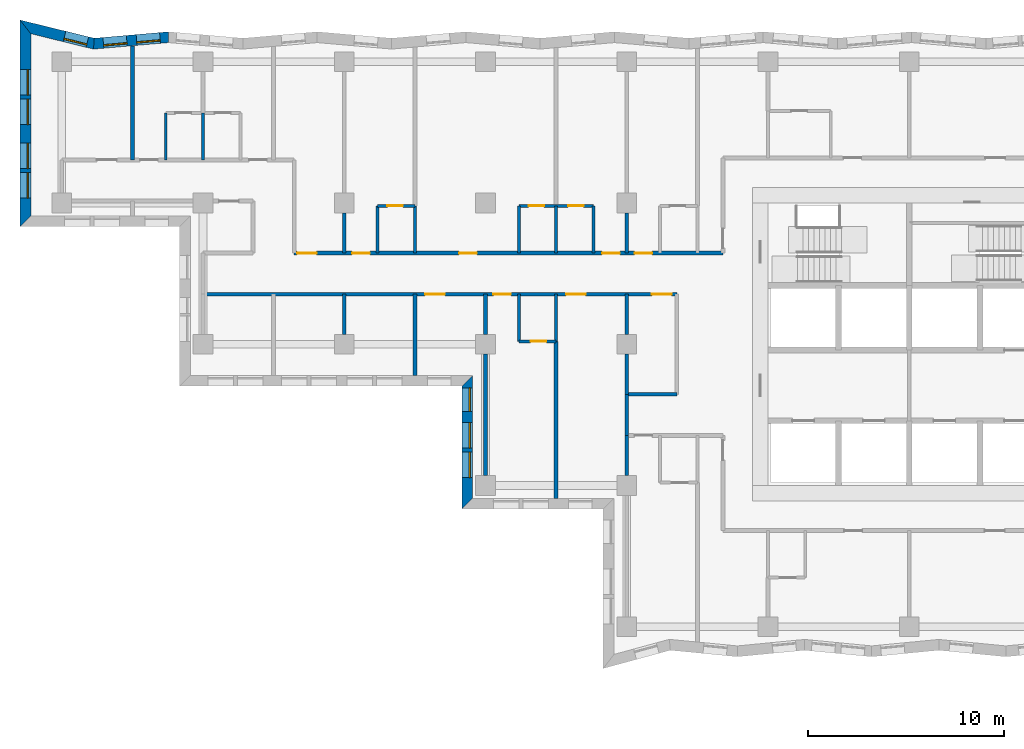
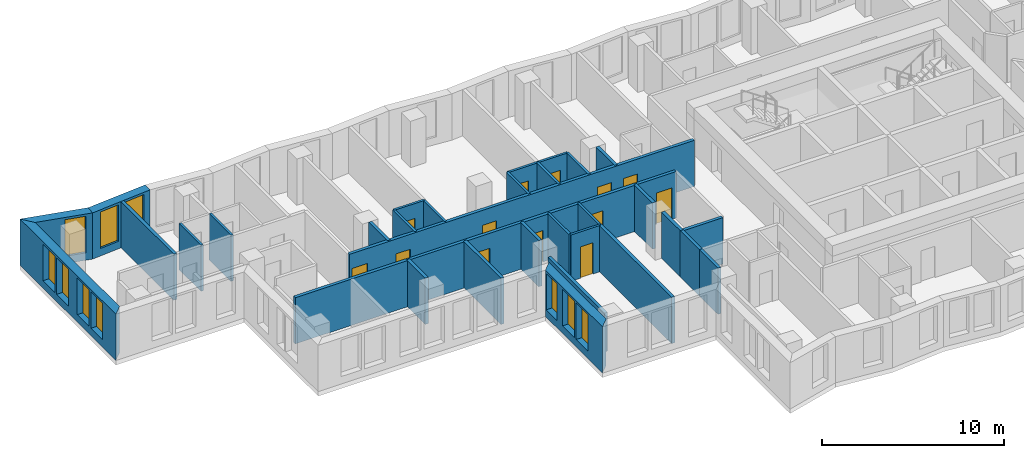
# One storey, part 4 of 12: 31 walls, 13 doors, 10 windows, 23 openings.
"""IFC4 building model written with IfcOpenShell, lengths in metres."""

from ifc_helpers import new_model, si_unit, direction, frame, frame_2d, origin, place, context, subcontext, project, spatial, polyline, rectangle, outline, extrude, material, layer, layer_set, type_object, element, fill, save


model = new_model("IFC4")

# Units and contexts
model_context = context("Model", 3, precision=1e-05, world=origin(), true_north=direction((0.0, 1.0)))
body_context = subcontext(model_context, "Body", "Model", "MODEL_VIEW")
ifc_project = project(units=[si_unit("LENGTHUNIT", "METRE"), si_unit("AREAUNIT", "SQUARE_METRE"), si_unit("VOLUMEUNIT", "CUBIC_METRE"), si_unit("PLANEANGLEUNIT", "RADIAN"), si_unit("MASSUNIT", "GRAM", prefix="KILO")], contexts=[model_context])

# Site, building, storey
site_placement = place(None, origin())
site = spatial("IfcSite", under=ifc_project, at=site_placement, CompositionType="ELEMENT")
building_placement = place(site_placement, origin())
building = spatial("IfcBuilding", under=site, at=building_placement, Name="Windrow Commons", CompositionType="ELEMENT")
storey_placement = place(building_placement, frame((0.0, 0.0, 84.6)))
storey = spatial("IfcBuildingStorey", under=building, at=storey_placement, Name="L22", CompositionType="ELEMENT", Elevation=84.6)

# Wall, openings, windows
ifc_material_1 = material(Name="Brick masonry, red clay brick", Category="masonry")
ifc_layer_1 = layer(ifc_material_1, 0.55)
ifc_layer_set_1 = layer_set([ifc_layer_1], Name="Brick facade wall 550")
wall_type_1 = type_object("IfcWallType", Name="Brick facade wall 550", PredefinedType="SOLIDWALL", material=ifc_layer_set_1)
wall_1_placement = place(storey_placement, frame((27.0465, 73.254, 0.0), z_axis=(0.0, 0.0, 1.0), x_axis=(-0.9962263466, -0.0867932393, 0.0)))
wall_1 = element("IfcWall", 1, at=wall_1_placement, inside=storey, type_object=wall_type_1, Name="Brick facade wall L22 35", PredefinedType="SOLIDWALL", context=body_context, shape_type="SweptSolid", body=[
    extrude(outline(polyline([(-0.024, -0.275), (3.7787, -0.275), (3.8696, 0.275), (0.024, 0.275), (-0.024, -0.275)])), origin(), (0.0, 0.0, 1.0), 3.1),
])
opening_1_placement = place(wall_1_placement, frame((0.4387, 0.0, 0.5)))
opening_1 = element("IfcOpeningElement", 2, at=opening_1_placement, cuts=wall_1, Name="Opening W7D", PredefinedType="OPENING", context=body_context, shape_type="SweptSolid", body=[
    extrude(rectangle(XDim=1.2, YDim=2.45, at=frame_2d((0.6, 1.225))), frame((0.0, 0.285, 0.0), z_axis=(0.0, -1.0, 0.0), x_axis=(1.0, 0.0, 0.0)), (0.0, 0.0, 1.0), 0.57),
])
opening_2_placement = place(wall_1_placement, frame((2.1388, 0.0, 0.5)))
opening_2 = element("IfcOpeningElement", 3, at=opening_2_placement, cuts=wall_1, Name="Opening W7D", PredefinedType="OPENING", context=body_context, shape_type="SweptSolid", body=[
    extrude(rectangle(XDim=1.2, YDim=2.45, at=frame_2d((0.6, 1.225))), frame((0.0, 0.285, 0.0), z_axis=(0.0, -1.0, 0.0), x_axis=(1.0, 0.0, 0.0)), (0.0, 0.0, 1.0), 0.57),
])
ifc_material_2 = material(Name="Clear float glass in anodised aluminium frame", Category="aluminium")
window_type_1 = type_object("IfcWindowType", Name="Window W7 notch 1200x2450", PartitioningType="SINGLE_PANEL", PredefinedType="WINDOW", material=ifc_material_2)
window_1_placement = place(opening_1_placement, origin())
window_1 = element("IfcWindow", 4, at=window_1_placement, inside=storey, type_object=window_type_1, Name="Window L22 35.1", OverallHeight=2.45, OverallWidth=1.2, PartitioningType="SINGLE_PANEL", PredefinedType="WINDOW", context=body_context, shape_type="SweptSolid", body=[
    extrude(rectangle(XDim=1.2, YDim=2.45, at=frame_2d((0.6, 1.225))), frame((0.0, 0.155, 0.0), z_axis=(0.0, -1.0, 0.0), x_axis=(1.0, 0.0, 0.0)), (0.0, 0.0, 1.0), 0.06),
])
fill(opening_1, window_1)
window_2_placement = place(opening_2_placement, origin())
window_2 = element("IfcWindow", 5, at=window_2_placement, inside=storey, type_object=window_type_1, Name="Window L22 35.2", OverallHeight=2.45, OverallWidth=1.2, PartitioningType="SINGLE_PANEL", PredefinedType="WINDOW", context=body_context, shape_type="SweptSolid", body=[
    extrude(rectangle(XDim=1.2, YDim=2.45, at=frame_2d((0.6, 1.225))), frame((0.0, 0.155, 0.0), z_axis=(0.0, -1.0, 0.0), x_axis=(1.0, 0.0, 0.0)), (0.0, 0.0, 1.0), 0.06),
])
fill(opening_2, window_2)

# Wall, opening, window
wall_2_placement = place(storey_placement, frame((23.2369, 72.9221, 0.0), z_axis=(0.0, 0.0, 1.0), x_axis=(-0.9711660271, 0.2384041692, 0.0)))
wall_2 = element("IfcWall", 6, at=wall_2_placement, inside=storey, type_object=wall_type_1, Name="Brick facade wall L22 36", PredefinedType="SOLIDWALL", context=body_context, shape_type="SweptSolid", body=[
    extrude(outline(polyline([(0.0455, -0.275), (3.9462, -0.275), (3.2449, 0.275), (-0.0455, 0.275), (0.0455, -0.275)])), origin(), (0.0, 0.0, 1.0), 3.1),
])
opening_3_placement = place(wall_2_placement, frame((0.3427, 0.0, 0.5)))
opening_3 = element("IfcOpeningElement", 7, at=opening_3_placement, cuts=wall_2, Name="Opening W7D", PredefinedType="OPENING", context=body_context, shape_type="SweptSolid", body=[
    extrude(rectangle(XDim=1.2, YDim=2.45, at=frame_2d((0.6, 1.225))), frame((0.0, 0.285, 0.0), z_axis=(0.0, -1.0, 0.0), x_axis=(1.0, 0.0, 0.0)), (0.0, 0.0, 1.0), 0.57),
])
window_3_placement = place(opening_3_placement, origin())
window_3 = element("IfcWindow", 8, at=window_3_placement, inside=storey, type_object=window_type_1, Name="Window L22 36.1", OverallHeight=2.45, OverallWidth=1.2, PartitioningType="SINGLE_PANEL", PredefinedType="WINDOW", context=body_context, shape_type="SweptSolid", body=[
    extrude(rectangle(XDim=1.2, YDim=2.45, at=frame_2d((0.6, 1.225))), frame((0.0, 0.155, 0.0), z_axis=(0.0, -1.0, 0.0), x_axis=(1.0, 0.0, 0.0)), (0.0, 0.0, 1.0), 0.06),
])
fill(opening_3, window_3)

# Wall, openings, windows
wall_3_placement = place(storey_placement, frame((19.745, 73.7793, 0.0), z_axis=(0.0, 0.0, 1.0), x_axis=(0.0, -1.0, 0.0)))
wall_3 = element("IfcWall", 9, at=wall_3_placement, inside=storey, type_object=wall_type_1, Name="Brick facade wall L22 37", PredefinedType="SOLIDWALL", context=body_context, shape_type="SweptSolid", body=[
    extrude(outline(polyline([(-0.3507, -0.275), (10.1793, -0.275), (9.6293, 0.275), (0.3507, 0.275), (-0.3507, -0.275)])), origin(), (0.0, 0.0, 1.0), 3.1),
])
opening_4_placement = place(wall_3_placement, frame((2.1793, 0.0, 0.5)))
opening_4 = element("IfcOpeningElement", 10, at=opening_4_placement, cuts=wall_3, Name="Opening W1P", PredefinedType="OPENING", context=body_context, shape_type="SweptSolid", body=[
    extrude(rectangle(XDim=1.3, YDim=2.45, at=frame_2d((0.65, 1.225))), frame((0.0, 0.285, 0.0), z_axis=(0.0, -1.0, 0.0), x_axis=(1.0, 0.0, 0.0)), (0.0, 0.0, 1.0), 0.57),
])
opening_5_placement = place(wall_3_placement, frame((3.6793, 0.0, 0.5)))
opening_5 = element("IfcOpeningElement", 11, at=opening_5_placement, cuts=wall_3, Name="Opening W1P", PredefinedType="OPENING", context=body_context, shape_type="SweptSolid", body=[
    extrude(rectangle(XDim=1.3, YDim=2.45, at=frame_2d((0.65, 1.225))), frame((0.0, 0.285, 0.0), z_axis=(0.0, -1.0, 0.0), x_axis=(1.0, 0.0, 0.0)), (0.0, 0.0, 1.0), 0.57),
])
opening_6_placement = place(wall_3_placement, frame((5.9293, 0.0, 0.5)))
opening_6 = element("IfcOpeningElement", 12, at=opening_6_placement, cuts=wall_3, Name="Opening W1P", PredefinedType="OPENING", context=body_context, shape_type="SweptSolid", body=[
    extrude(rectangle(XDim=1.3, YDim=2.45, at=frame_2d((0.65, 1.225))), frame((0.0, 0.285, 0.0), z_axis=(0.0, -1.0, 0.0), x_axis=(1.0, 0.0, 0.0)), (0.0, 0.0, 1.0), 0.57),
])
opening_7_placement = place(wall_3_placement, frame((7.4293, 0.0, 0.5)))
opening_7 = element("IfcOpeningElement", 13, at=opening_7_placement, cuts=wall_3, Name="Opening W1P", PredefinedType="OPENING", context=body_context, shape_type="SweptSolid", body=[
    extrude(rectangle(XDim=1.3, YDim=2.45, at=frame_2d((0.65, 1.225))), frame((0.0, 0.285, 0.0), z_axis=(0.0, -1.0, 0.0), x_axis=(1.0, 0.0, 0.0)), (0.0, 0.0, 1.0), 0.57),
])
ifc_material_3 = material(Name="Clear float glass in anodised aluminium frame", Category="aluminium")
window_type_2 = type_object("IfcWindowType", Name="Window W1P pair 1300x2450", PartitioningType="SINGLE_PANEL", PredefinedType="WINDOW", material=ifc_material_3)
window_4_placement = place(opening_4_placement, origin())
window_4 = element("IfcWindow", 14, at=window_4_placement, inside=storey, type_object=window_type_2, Name="Window L22 37.1A", OverallHeight=2.45, OverallWidth=1.3, PartitioningType="SINGLE_PANEL", PredefinedType="WINDOW", context=body_context, shape_type="SweptSolid", body=[
    extrude(rectangle(XDim=1.3, YDim=2.45, at=frame_2d((0.65, 1.225))), frame((0.0, 0.155, 0.0), z_axis=(0.0, -1.0, 0.0), x_axis=(1.0, 0.0, 0.0)), (0.0, 0.0, 1.0), 0.06),
])
fill(opening_4, window_4)
window_5_placement = place(opening_5_placement, origin())
window_5 = element("IfcWindow", 15, at=window_5_placement, inside=storey, type_object=window_type_2, Name="Window L22 37.1B", OverallHeight=2.45, OverallWidth=1.3, PartitioningType="SINGLE_PANEL", PredefinedType="WINDOW", context=body_context, shape_type="SweptSolid", body=[
    extrude(rectangle(XDim=1.3, YDim=2.45, at=frame_2d((0.65, 1.225))), frame((0.0, 0.155, 0.0), z_axis=(0.0, -1.0, 0.0), x_axis=(1.0, 0.0, 0.0)), (0.0, 0.0, 1.0), 0.06),
])
fill(opening_5, window_5)
window_6_placement = place(opening_6_placement, origin())
window_6 = element("IfcWindow", 16, at=window_6_placement, inside=storey, type_object=window_type_2, Name="Window L22 37.2A", OverallHeight=2.45, OverallWidth=1.3, PartitioningType="SINGLE_PANEL", PredefinedType="WINDOW", context=body_context, shape_type="SweptSolid", body=[
    extrude(rectangle(XDim=1.3, YDim=2.45, at=frame_2d((0.65, 1.225))), frame((0.0, 0.155, 0.0), z_axis=(0.0, -1.0, 0.0), x_axis=(1.0, 0.0, 0.0)), (0.0, 0.0, 1.0), 0.06),
])
fill(opening_6, window_6)
window_7_placement = place(opening_7_placement, origin())
window_7 = element("IfcWindow", 17, at=window_7_placement, inside=storey, type_object=window_type_2, Name="Window L22 37.2B", OverallHeight=2.45, OverallWidth=1.3, PartitioningType="SINGLE_PANEL", PredefinedType="WINDOW", context=body_context, shape_type="SweptSolid", body=[
    extrude(rectangle(XDim=1.3, YDim=2.45, at=frame_2d((0.65, 1.225))), frame((0.0, 0.155, 0.0), z_axis=(0.0, -1.0, 0.0), x_axis=(1.0, 0.0, 0.0)), (0.0, 0.0, 1.0), 0.06),
])
fill(opening_7, window_7)

wall_4_placement = place(storey_placement, frame((42.275, 55.745, 0.0), z_axis=(0.0, 0.0, 1.0), x_axis=(0.0, -1.0, 0.0)))
wall_4 = element("IfcWall", 18, at=wall_4_placement, inside=storey, type_object=wall_type_1, Name="Brick facade wall L22 41", PredefinedType="SOLIDWALL", context=body_context, shape_type="SweptSolid", body=[
    extrude(outline(polyline([(0.275, -0.275), (6.545, -0.275), (5.995, 0.275), (-0.275, 0.275), (0.275, -0.275)])), origin(), (0.0, 0.0, 1.0), 3.1),
])
opening_8_placement = place(wall_4_placement, frame((2.145, 0.0, 0.5)))
opening_8 = element("IfcOpeningElement", 19, at=opening_8_placement, cuts=wall_4, Name="Opening W1P", PredefinedType="OPENING", context=body_context, shape_type="SweptSolid", body=[
    extrude(rectangle(XDim=1.3, YDim=2.45, at=frame_2d((0.65, 1.225))), frame((0.0, 0.285, 0.0), z_axis=(0.0, -1.0, 0.0), x_axis=(1.0, 0.0, 0.0)), (0.0, 0.0, 1.0), 0.57),
])
opening_9_placement = place(wall_4_placement, frame((3.645, 0.0, 0.5)))
opening_9 = element("IfcOpeningElement", 20, at=opening_9_placement, cuts=wall_4, Name="Opening W1P", PredefinedType="OPENING", context=body_context, shape_type="SweptSolid", body=[
    extrude(rectangle(XDim=1.3, YDim=2.45, at=frame_2d((0.65, 1.225))), frame((0.0, 0.285, 0.0), z_axis=(0.0, -1.0, 0.0), x_axis=(1.0, 0.0, 0.0)), (0.0, 0.0, 1.0), 0.57),
])
opening_10_placement = place(wall_4_placement, frame((0.3725, 0.0, 0.5)))
opening_10 = element("IfcOpeningElement", 21, at=opening_10_placement, cuts=wall_4, Name="Opening W7D", PredefinedType="OPENING", context=body_context, shape_type="SweptSolid", body=[
    extrude(rectangle(XDim=1.2, YDim=2.45, at=frame_2d((0.6, 1.225))), frame((0.0, 0.285, 0.0), z_axis=(0.0, -1.0, 0.0), x_axis=(1.0, 0.0, 0.0)), (0.0, 0.0, 1.0), 0.57),
])
window_8_placement = place(opening_8_placement, origin())
window_8 = element("IfcWindow", 22, at=window_8_placement, inside=storey, type_object=window_type_2, Name="Window L22 41.1A", OverallHeight=2.45, OverallWidth=1.3, PartitioningType="SINGLE_PANEL", PredefinedType="WINDOW", context=body_context, shape_type="SweptSolid", body=[
    extrude(rectangle(XDim=1.3, YDim=2.45, at=frame_2d((0.65, 1.225))), frame((0.0, 0.155, 0.0), z_axis=(0.0, -1.0, 0.0), x_axis=(1.0, 0.0, 0.0)), (0.0, 0.0, 1.0), 0.06),
])
fill(opening_8, window_8)
window_9_placement = place(opening_9_placement, origin())
window_9 = element("IfcWindow", 23, at=window_9_placement, inside=storey, type_object=window_type_2, Name="Window L22 41.1B", OverallHeight=2.45, OverallWidth=1.3, PartitioningType="SINGLE_PANEL", PredefinedType="WINDOW", context=body_context, shape_type="SweptSolid", body=[
    extrude(rectangle(XDim=1.3, YDim=2.45, at=frame_2d((0.65, 1.225))), frame((0.0, 0.155, 0.0), z_axis=(0.0, -1.0, 0.0), x_axis=(1.0, 0.0, 0.0)), (0.0, 0.0, 1.0), 0.06),
])
fill(opening_9, window_9)
window_10_placement = place(opening_10_placement, origin())
window_10 = element("IfcWindow", 24, at=window_10_placement, inside=storey, type_object=window_type_1, Name="Window L22 41.2", OverallHeight=2.45, OverallWidth=1.2, PartitioningType="SINGLE_PANEL", PredefinedType="WINDOW", context=body_context, shape_type="SweptSolid", body=[
    extrude(rectangle(XDim=1.2, YDim=2.45, at=frame_2d((0.6, 1.225))), frame((0.0, 0.155, 0.0), z_axis=(0.0, -1.0, 0.0), x_axis=(1.0, 0.0, 0.0)), (0.0, 0.0, 1.0), 0.06),
])
fill(opening_10, window_10)

# Wall, openings, doors
ifc_material_4 = material(Name="Blockwork partition", Category="masonry")
ifc_layer_2 = layer(ifc_material_4, 0.2)
ifc_layer_set_2 = layer_set([ifc_layer_2], Name="IW-CORRIDOR-200")
wall_type_2 = type_object("IfcWallType", Name="IW-CORRIDOR-200", PredefinedType="PARTITIONING", material=ifc_layer_set_2)
wall_5_placement = place(storey_placement, frame((28.8, 60.15, 0.0), z_axis=(0.0, 0.0, 1.0), x_axis=(1.0, 0.0, 0.0)))
wall_5 = element("IfcWall", 25, at=wall_5_placement, inside=storey, type_object=wall_type_2, Name="W-L22-W000", PredefinedType="PARTITIONING", context=body_context, shape_type="SweptSolid", body=[
    extrude(rectangle(XDim=24.15, YDim=0.2, at=frame_2d((12.075, 0.0))), origin(), (0.0, 0.0, 1.0), 3.1),
])
opening_11_placement = place(wall_5_placement, frame((11.325, 0.0, 0.0)))
opening_11 = element("IfcOpeningElement", 26, at=opening_11_placement, cuts=wall_5, Name="Opening D310F", PredefinedType="OPENING", context=body_context, shape_type="SweptSolid", body=[
    extrude(rectangle(XDim=1.0, YDim=2.1, at=frame_2d((0.5, 1.05))), frame((0.0, 0.11, 0.0), z_axis=(0.0, -1.0, 0.0), x_axis=(1.0, 0.0, 0.0)), (0.0, 0.0, 1.0), 0.22),
])
opening_12_placement = place(wall_5_placement, frame((14.8, 0.0, 0.0)))
opening_12 = element("IfcOpeningElement", 27, at=opening_12_placement, cuts=wall_5, Name="Opening D109S", PredefinedType="OPENING", context=body_context, shape_type="SweptSolid", body=[
    extrude(rectangle(XDim=0.9, YDim=2.1, at=frame_2d((0.45, 1.05))), frame((0.0, 0.11, 0.0), z_axis=(0.0, -1.0, 0.0), x_axis=(1.0, 0.0, 0.0)), (0.0, 0.0, 1.0), 0.22),
])
opening_13_placement = place(wall_5_placement, frame((18.5075, 0.0, 0.0)))
opening_13 = element("IfcOpeningElement", 28, at=opening_13_placement, cuts=wall_5, Name="Opening D310F", PredefinedType="OPENING", context=body_context, shape_type="SweptSolid", body=[
    extrude(rectangle(XDim=1.0, YDim=2.1, at=frame_2d((0.5, 1.05))), frame((0.0, 0.11, 0.0), z_axis=(0.0, -1.0, 0.0), x_axis=(1.0, 0.0, 0.0)), (0.0, 0.0, 1.0), 0.22),
])
opening_14_placement = place(wall_5_placement, frame((22.8824, 0.0, 0.0)))
opening_14 = element("IfcOpeningElement", 29, at=opening_14_placement, cuts=wall_5, Name="Opening D310F", PredefinedType="OPENING", context=body_context, shape_type="SweptSolid", body=[
    extrude(rectangle(XDim=1.0, YDim=2.1, at=frame_2d((0.5, 1.05))), frame((0.0, 0.11, 0.0), z_axis=(0.0, -1.0, 0.0), x_axis=(1.0, 0.0, 0.0)), (0.0, 0.0, 1.0), 0.22),
])
ifc_material_5 = material(Name="Timber door leaf", Category="wood")
door_type_1 = type_object("IfcDoorType", Name="DT-AMENITY-1000", OperationType="SINGLE_SWING_LEFT", PredefinedType="DOOR", material=ifc_material_5)
door_1_placement = place(opening_11_placement, origin())
door_1 = element("IfcDoor", 30, at=door_1_placement, inside=storey, type_object=door_type_1, Name="D-L22-D025", OperationType="SINGLE_SWING_RIGHT", OverallHeight=2.1, OverallWidth=1.0, PredefinedType="DOOR", context=body_context, shape_type="SweptSolid", body=[
    extrude(rectangle(XDim=1.0, YDim=2.1, at=frame_2d((0.5, 1.05))), frame((0.0, 0.025, 0.0), z_axis=(0.0, -1.0, 0.0), x_axis=(1.0, 0.0, 0.0)), (0.0, 0.0, 1.0), 0.05),
])
fill(opening_11, door_1)
door_2_placement = place(opening_13_placement, origin())
door_2 = element("IfcDoor", 31, at=door_2_placement, inside=storey, type_object=door_type_1, Name="D-L22-D028", OperationType="SINGLE_SWING_RIGHT", OverallHeight=2.1, OverallWidth=1.0, PredefinedType="DOOR", context=body_context, shape_type="SweptSolid", body=[
    extrude(rectangle(XDim=1.0, YDim=2.1, at=frame_2d((0.5, 1.05))), frame((0.0, 0.025, 0.0), z_axis=(0.0, -1.0, 0.0), x_axis=(1.0, 0.0, 0.0)), (0.0, 0.0, 1.0), 0.05),
])
fill(opening_13, door_2)
door_3_placement = place(opening_14_placement, origin())
door_3 = element("IfcDoor", 32, at=door_3_placement, inside=storey, type_object=door_type_1, Name="D-L22-D029", OperationType="SINGLE_SWING_LEFT", OverallHeight=2.1, OverallWidth=1.0, PredefinedType="DOOR", context=body_context, shape_type="SweptSolid", body=[
    extrude(rectangle(XDim=1.0, YDim=2.1, at=frame_2d((0.5, 1.05))), frame((0.0, 0.025, 0.0), z_axis=(0.0, -1.0, 0.0), x_axis=(1.0, 0.0, 0.0)), (0.0, 0.0, 1.0), 0.05),
])
fill(opening_14, door_3)
ifc_material_6 = material(Name="Timber door leaf", Category="wood")
door_type_2 = type_object("IfcDoorType", Name="DT-BEDROOM-900", OperationType="SINGLE_SWING_LEFT", PredefinedType="DOOR", material=ifc_material_6)
door_4_placement = place(opening_12_placement, origin())
door_4 = element("IfcDoor", 33, at=door_4_placement, inside=storey, type_object=door_type_2, Name="D-L22-D026", OperationType="SINGLE_SWING_LEFT", OverallHeight=2.1, OverallWidth=0.9, PredefinedType="DOOR", context=body_context, shape_type="SweptSolid", body=[
    extrude(rectangle(XDim=0.9, YDim=2.1, at=frame_2d((0.45, 1.05))), frame((0.0, 0.025, 0.0), z_axis=(0.0, -1.0, 0.0), x_axis=(1.0, 0.0, 0.0)), (0.0, 0.0, 1.0), 0.05),
])
fill(opening_12, door_4)

wall_6_placement = place(storey_placement, frame((33.45, 62.25, 0.0), z_axis=(0.0, 0.0, 1.0), x_axis=(1.0, 0.0, 0.0)))
wall_6 = element("IfcWall", 34, at=wall_6_placement, inside=storey, type_object=wall_type_2, Name="W-L22-W001", PredefinedType="PARTITIONING", context=body_context, shape_type="SweptSolid", body=[
    extrude(rectangle(XDim=21.85, YDim=0.2, at=frame_2d((10.925, 0.0))), origin(), (0.0, 0.0, 1.0), 3.1),
])
opening_15_placement = place(wall_6_placement, frame((0.1438, 0.0, 0.0)))
opening_15 = element("IfcOpeningElement", 35, at=opening_15_placement, cuts=wall_6, Name="Opening D310F", PredefinedType="OPENING", context=body_context, shape_type="SweptSolid", body=[
    extrude(rectangle(XDim=1.0, YDim=2.1, at=frame_2d((0.5, 1.05))), frame((0.0, 0.11, 0.0), z_axis=(0.0, -1.0, 0.0), x_axis=(1.0, 0.0, 0.0)), (0.0, 0.0, 1.0), 0.22),
])
opening_16_placement = place(wall_6_placement, frame((2.95, 0.0, 0.0)))
opening_16 = element("IfcOpeningElement", 36, at=opening_16_placement, cuts=wall_6, Name="Opening D109S", PredefinedType="OPENING", context=body_context, shape_type="SweptSolid", body=[
    extrude(rectangle(XDim=0.9, YDim=2.1, at=frame_2d((0.45, 1.05))), frame((0.0, 0.11, 0.0), z_axis=(0.0, -1.0, 0.0), x_axis=(1.0, 0.0, 0.0)), (0.0, 0.0, 1.0), 0.22),
])
opening_17_placement = place(wall_6_placement, frame((8.4066, 0.0, 0.0)))
opening_17 = element("IfcOpeningElement", 37, at=opening_17_placement, cuts=wall_6, Name="Opening D109F", PredefinedType="OPENING", context=body_context, shape_type="SweptSolid", body=[
    extrude(rectangle(XDim=0.9, YDim=2.1, at=frame_2d((0.45, 1.05))), frame((0.0, 0.11, 0.0), z_axis=(0.0, -1.0, 0.0), x_axis=(1.0, 0.0, 0.0)), (0.0, 0.0, 1.0), 0.22),
])
opening_18_placement = place(wall_6_placement, frame((15.7, 0.0, 0.0)))
opening_18 = element("IfcOpeningElement", 38, at=opening_18_placement, cuts=wall_6, Name="Opening D109S", PredefinedType="OPENING", context=body_context, shape_type="SweptSolid", body=[
    extrude(rectangle(XDim=0.9, YDim=2.1, at=frame_2d((0.45, 1.05))), frame((0.0, 0.11, 0.0), z_axis=(0.0, -1.0, 0.0), x_axis=(1.0, 0.0, 0.0)), (0.0, 0.0, 1.0), 0.22),
])
opening_19_placement = place(wall_6_placement, frame((17.35, 0.0, 0.0)))
opening_19 = element("IfcOpeningElement", 39, at=opening_19_placement, cuts=wall_6, Name="Opening D109S", PredefinedType="OPENING", context=body_context, shape_type="SweptSolid", body=[
    extrude(rectangle(XDim=0.9, YDim=2.1, at=frame_2d((0.45, 1.05))), frame((0.0, 0.11, 0.0), z_axis=(0.0, -1.0, 0.0), x_axis=(1.0, 0.0, 0.0)), (0.0, 0.0, 1.0), 0.22),
])
door_5_placement = place(opening_15_placement, origin())
door_5 = element("IfcDoor", 40, at=door_5_placement, inside=storey, type_object=door_type_1, Name="D-L22-D012", OperationType="SINGLE_SWING_LEFT", OverallHeight=2.1, OverallWidth=1.0, PredefinedType="DOOR", context=body_context, shape_type="SweptSolid", body=[
    extrude(rectangle(XDim=1.0, YDim=2.1, at=frame_2d((0.5, 1.05))), frame((0.0, 0.025, 0.0), z_axis=(0.0, -1.0, 0.0), x_axis=(1.0, 0.0, 0.0)), (0.0, 0.0, 1.0), 0.05),
])
fill(opening_15, door_5)
door_6_placement = place(opening_16_placement, origin())
door_6 = element("IfcDoor", 41, at=door_6_placement, inside=storey, type_object=door_type_2, Name="D-L22-D013", OperationType="SINGLE_SWING_RIGHT", OverallHeight=2.1, OverallWidth=0.9, PredefinedType="DOOR", context=body_context, shape_type="SweptSolid", body=[
    extrude(rectangle(XDim=0.9, YDim=2.1, at=frame_2d((0.45, 1.05))), frame((0.0, 0.025, 0.0), z_axis=(0.0, -1.0, 0.0), x_axis=(1.0, 0.0, 0.0)), (0.0, 0.0, 1.0), 0.05),
])
fill(opening_16, door_6)
door_7_placement = place(opening_17_placement, origin())
door_7 = element("IfcDoor", 42, at=door_7_placement, inside=storey, type_object=door_type_2, Name="D-L22-D015", OperationType="SINGLE_SWING_LEFT", OverallHeight=2.1, OverallWidth=0.9, PredefinedType="DOOR", context=body_context, shape_type="SweptSolid", body=[
    extrude(rectangle(XDim=0.9, YDim=2.1, at=frame_2d((0.45, 1.05))), frame((0.0, 0.025, 0.0), z_axis=(0.0, -1.0, 0.0), x_axis=(1.0, 0.0, 0.0)), (0.0, 0.0, 1.0), 0.05),
])
fill(opening_17, door_7)
door_8_placement = place(opening_18_placement, origin())
door_8 = element("IfcDoor", 43, at=door_8_placement, inside=storey, type_object=door_type_2, Name="D-L22-D017", OperationType="SINGLE_SWING_LEFT", OverallHeight=2.1, OverallWidth=0.9, PredefinedType="DOOR", context=body_context, shape_type="SweptSolid", body=[
    extrude(rectangle(XDim=0.9, YDim=2.1, at=frame_2d((0.45, 1.05))), frame((0.0, 0.025, 0.0), z_axis=(0.0, -1.0, 0.0), x_axis=(1.0, 0.0, 0.0)), (0.0, 0.0, 1.0), 0.05),
])
fill(opening_18, door_8)
door_9_placement = place(opening_19_placement, origin())
door_9 = element("IfcDoor", 44, at=door_9_placement, inside=storey, type_object=door_type_2, Name="D-L22-D019", OperationType="SINGLE_SWING_RIGHT", OverallHeight=2.1, OverallWidth=0.9, PredefinedType="DOOR", context=body_context, shape_type="SweptSolid", body=[
    extrude(rectangle(XDim=0.9, YDim=2.1, at=frame_2d((0.45, 1.05))), frame((0.0, 0.025, 0.0), z_axis=(0.0, -1.0, 0.0), x_axis=(1.0, 0.0, 0.0)), (0.0, 0.0, 1.0), 0.05),
])
fill(opening_19, door_9)

# Walls
wall_7_placement = place(storey_placement, frame((50.4, 55.05, 0.0), z_axis=(0.0, 0.0, 1.0), x_axis=(1.0, 0.0, 0.0)))
element("IfcWall", 45, at=wall_7_placement, inside=storey, type_object=wall_type_2, Name="W-L22-W067", PredefinedType="PARTITIONING", context=body_context, shape_type="SweptSolid", body=[
    extrude(rectangle(XDim=2.55, YDim=0.2, at=frame_2d((1.275, 0.0))), origin(), (0.0, 0.0, 1.0), 3.1),
])
wall_8_placement = place(storey_placement, frame((50.4, 52.95, 0.0), z_axis=(0.0, 0.0, 1.0), x_axis=(0.0, 1.0, 0.0)))
element("IfcWall", 46, at=wall_8_placement, inside=storey, type_object=wall_type_2, Name="W-L22-W105", PredefinedType="PARTITIONING", context=body_context, shape_type="SweptSolid", body=[
    extrude(rectangle(XDim=2.1, YDim=0.2, at=frame_2d((1.05, 0.0))), origin(), (0.0, 0.0, 1.0), 3.1),
])

# Wall, openings, doors
ifc_material_7 = material(Name="Blockwork partition", Category="masonry")
ifc_layer_3 = layer(ifc_material_7, 0.15)
ifc_layer_set_3 = layer_set([ifc_layer_3], Name="IW-ENSUITE-150")
wall_type_3 = type_object("IfcWallType", Name="IW-ENSUITE-150", PredefinedType="PARTITIONING", material=ifc_layer_set_3)
wall_9_placement = place(storey_placement, frame((44.9, 64.65, 0.0), z_axis=(0.0, 0.0, 1.0), x_axis=(1.0, 0.0, 0.0)))
wall_9 = element("IfcWall", 47, at=wall_9_placement, inside=storey, type_object=wall_type_3, Name="W-L22-W055", PredefinedType="PARTITIONING", context=body_context, shape_type="SweptSolid", body=[
    extrude(rectangle(XDim=3.8, YDim=0.15, at=frame_2d((1.9, 0.0))), origin(), (0.0, 0.0, 1.0), 3.1),
])
opening_20_placement = place(wall_9_placement, frame((0.4931, 0.0, 0.0)))
opening_20 = element("IfcOpeningElement", 48, at=opening_20_placement, cuts=wall_9, Name="Opening D208N", PredefinedType="OPENING", context=body_context, shape_type="SweptSolid", body=[
    extrude(rectangle(XDim=0.8, YDim=2.1, at=frame_2d((0.4, 1.05))), frame((0.0, 0.085, 0.0), z_axis=(0.0, -1.0, 0.0), x_axis=(1.0, 0.0, 0.0)), (0.0, 0.0, 1.0), 0.17),
])
opening_21_placement = place(wall_9_placement, frame((2.5069, 0.0, 0.0)))
opening_21 = element("IfcOpeningElement", 49, at=opening_21_placement, cuts=wall_9, Name="Opening D208N", PredefinedType="OPENING", context=body_context, shape_type="SweptSolid", body=[
    extrude(rectangle(XDim=0.8, YDim=2.1, at=frame_2d((0.4, 1.05))), frame((0.0, 0.085, 0.0), z_axis=(0.0, -1.0, 0.0), x_axis=(1.0, 0.0, 0.0)), (0.0, 0.0, 1.0), 0.17),
])
ifc_material_8 = material(Name="Timber door leaf", Category="wood")
door_type_3 = type_object("IfcDoorType", Name="DT-ENSUITE-800", OperationType="SINGLE_SWING_LEFT", PredefinedType="DOOR", material=ifc_material_8)
door_10_placement = place(opening_20_placement, origin())
door_10 = element("IfcDoor", 50, at=door_10_placement, inside=storey, type_object=door_type_3, Name="D-L22-D016", OperationType="SINGLE_SWING_RIGHT", OverallHeight=2.1, OverallWidth=0.8, PredefinedType="DOOR", context=body_context, shape_type="SweptSolid", body=[
    extrude(rectangle(XDim=0.8, YDim=2.1, at=frame_2d((0.4, 1.05))), frame((0.0, 0.025, 0.0), z_axis=(0.0, -1.0, 0.0), x_axis=(1.0, 0.0, 0.0)), (0.0, 0.0, 1.0), 0.05),
])
fill(opening_20, door_10)
door_11_placement = place(opening_21_placement, origin())
door_11 = element("IfcDoor", 51, at=door_11_placement, inside=storey, type_object=door_type_3, Name="D-L22-D018", OperationType="SINGLE_SWING_RIGHT", OverallHeight=2.1, OverallWidth=0.8, PredefinedType="DOOR", context=body_context, shape_type="SweptSolid", body=[
    extrude(rectangle(XDim=0.8, YDim=2.1, at=frame_2d((0.4, 1.05))), frame((0.0, 0.025, 0.0), z_axis=(0.0, -1.0, 0.0), x_axis=(1.0, 0.0, 0.0)), (0.0, 0.0, 1.0), 0.05),
])
fill(opening_21, door_11)

# Walls
for number, where, z_axis, x_axis, name in (
    (52, (26.9, 67.0, 0.0), (0.0, 0.0, 1.0), (0.0, 1.0, 0.0), "W-L22-W071"),
    (53, (28.8, 67.0, 0.0), (0.0, 0.0, 1.0), (0.0, 1.0, 0.0), "W-L22-W072"),
    (54, (37.7, 62.25, 0.0), (0.0, 0.0, 1.0), (0.0, 1.0, 0.0), "W-L22-W074"),
    (55, (39.6, 62.25, 0.0), (0.0, 0.0, 1.0), (0.0, 1.0, 0.0), "W-L22-W075"),
    (56, (44.9, 62.25, 0.0), (0.0, 0.0, 1.0), (0.0, 1.0, 0.0), "W-L22-W076"),
    (57, (46.8, 62.25, 0.0), (0.0, 0.0, 1.0), (0.0, 1.0, 0.0), "W-L22-W077"),
    (58, (48.7, 62.25, 0.0), (0.0, 0.0, 1.0), (0.0, 1.0, 0.0), "W-L22-W078"),
    (59, (44.9, 57.75, 0.0), (0.0, 0.0, 1.0), (0.0, 1.0, 0.0), "W-L22-W087"),
    (60, (46.8, 57.75, 0.0), (0.0, 0.0, 1.0), (0.0, 1.0, 0.0), "W-L22-W088"),
):
    element("IfcWall", number, at=place(storey_placement, frame(where, z_axis=z_axis, x_axis=x_axis)), inside=storey, type_object=wall_type_3, Name=name, PredefinedType="PARTITIONING", context=body_context, shape_type="SweptSolid", body=[
        extrude(rectangle(XDim=2.4, YDim=0.15, at=frame_2d((1.2, 0.0))), origin(), (0.0, 0.0, 1.0), 3.1),
    ])

# Wall, opening, door
wall_10_placement = place(storey_placement, frame((37.7, 64.65, 0.0), z_axis=(0.0, 0.0, 1.0), x_axis=(1.0, 0.0, 0.0)))
wall_10 = element("IfcWall", 61, at=wall_10_placement, inside=storey, type_object=wall_type_3, Name="W-L22-W126", PredefinedType="PARTITIONING", context=body_context, shape_type="SweptSolid", body=[
    extrude(rectangle(XDim=1.9, YDim=0.15, at=frame_2d((0.95, 0.0))), origin(), (0.0, 0.0, 1.0), 3.1),
])
opening_22_placement = place(wall_10_placement, frame((0.4931, 0.0, 0.0)))
opening_22 = element("IfcOpeningElement", 62, at=opening_22_placement, cuts=wall_10, Name="Opening D208N", PredefinedType="OPENING", context=body_context, shape_type="SweptSolid", body=[
    extrude(rectangle(XDim=0.8, YDim=2.1, at=frame_2d((0.4, 1.05))), frame((0.0, 0.085, 0.0), z_axis=(0.0, -1.0, 0.0), x_axis=(1.0, 0.0, 0.0)), (0.0, 0.0, 1.0), 0.17),
])
door_12_placement = place(opening_22_placement, origin())
door_12 = element("IfcDoor", 63, at=door_12_placement, inside=storey, type_object=door_type_3, Name="D-L22-D014", OperationType="SINGLE_SWING_RIGHT", OverallHeight=2.1, OverallWidth=0.8, PredefinedType="DOOR", context=body_context, shape_type="SweptSolid", body=[
    extrude(rectangle(XDim=0.8, YDim=2.1, at=frame_2d((0.4, 1.05))), frame((0.0, 0.025, 0.0), z_axis=(0.0, -1.0, 0.0), x_axis=(1.0, 0.0, 0.0)), (0.0, 0.0, 1.0), 0.05),
])
fill(opening_22, door_12)

wall_11_placement = place(storey_placement, frame((44.9, 57.75, 0.0), z_axis=(0.0, 0.0, 1.0), x_axis=(1.0, 0.0, 0.0)))
wall_11 = element("IfcWall", 64, at=wall_11_placement, inside=storey, type_object=wall_type_3, Name="W-L22-W128", PredefinedType="PARTITIONING", context=body_context, shape_type="SweptSolid", body=[
    extrude(rectangle(XDim=1.9, YDim=0.15, at=frame_2d((0.95, 0.0))), origin(), (0.0, 0.0, 1.0), 3.1),
])
opening_23_placement = place(wall_11_placement, frame((0.5979, 0.0, 0.0)))
opening_23 = element("IfcOpeningElement", 65, at=opening_23_placement, cuts=wall_11, Name="Opening D208N", PredefinedType="OPENING", context=body_context, shape_type="SweptSolid", body=[
    extrude(rectangle(XDim=0.8, YDim=2.1, at=frame_2d((0.4, 1.05))), frame((0.0, 0.085, 0.0), z_axis=(0.0, -1.0, 0.0), x_axis=(1.0, 0.0, 0.0)), (0.0, 0.0, 1.0), 0.17),
])
door_13_placement = place(opening_23_placement, origin())
door_13 = element("IfcDoor", 66, at=door_13_placement, inside=storey, type_object=door_type_3, Name="D-L22-D027", OperationType="SINGLE_SWING_RIGHT", OverallHeight=2.1, OverallWidth=0.8, PredefinedType="DOOR", context=body_context, shape_type="SweptSolid", body=[
    extrude(rectangle(XDim=0.8, YDim=2.1, at=frame_2d((0.4, 1.05))), frame((0.0, 0.025, 0.0), z_axis=(0.0, -1.0, 0.0), x_axis=(1.0, 0.0, 0.0)), (0.0, 0.0, 1.0), 0.05),
])
fill(opening_23, door_13)

# Walls
ifc_material_9 = material(Name="Blockwork partition", Category="masonry")
ifc_layer_4 = layer(ifc_material_9, 0.2)
ifc_layer_set_4 = layer_set([ifc_layer_4], Name="IW-PARTY-200")
wall_type_4 = type_object("IfcWallType", Name="IW-PARTY-200", PredefinedType="PARTITIONING", material=ifc_layer_set_4)
wall_12_placement = place(storey_placement, frame((46.8, 49.75, 0.0), z_axis=(0.0, 0.0, 1.0), x_axis=(0.0, 1.0, 0.0)))
element("IfcWall", 67, at=wall_12_placement, inside=storey, type_object=wall_type_4, Name="W-L22-W020", PredefinedType="PARTITIONING", context=body_context, shape_type="SweptSolid", body=[
    extrude(rectangle(XDim=8.0, YDim=0.2, at=frame_2d((4.0, 0.0))), origin(), (0.0, 0.0, 1.0), 3.1),
])
wall_13_placement = place(storey_placement, frame((43.2, 50.9, 0.0), z_axis=(0.0, 0.0, 1.0), x_axis=(0.0, 1.0, 0.0)))
element("IfcWall", 68, at=wall_13_placement, inside=storey, type_object=wall_type_4, Name="W-L22-W024", PredefinedType="PARTITIONING", context=body_context, shape_type="SweptSolid", body=[
    extrude(rectangle(XDim=6.2, YDim=0.2, at=frame_2d((3.1, 0.0))), origin(), (0.0, 0.0, 1.0), 2.6),
])
wall_14_placement = place(storey_placement, frame((25.2, 67.0, 0.0), z_axis=(0.0, 0.0, 1.0), x_axis=(0.0, 1.0, 0.0)))
element("IfcWall", 69, at=wall_14_placement, inside=storey, type_object=wall_type_4, Name="W-L22-W033", PredefinedType="PARTITIONING", context=body_context, shape_type="SweptSolid", body=[
    extrude(rectangle(XDim=5.8171, YDim=0.2, at=frame_2d((2.9085, 0.0))), origin(), (0.0, 0.0, 1.0), 3.1),
])
wall_15_placement = place(storey_placement, frame((39.6, 56.02, 0.0), z_axis=(0.0, 0.0, 1.0), x_axis=(0.0, 1.0, 0.0)))
element("IfcWall", 70, at=wall_15_placement, inside=storey, type_object=wall_type_4, Name="W-L22-W052", PredefinedType="PARTITIONING", context=body_context, shape_type="SweptSolid", body=[
    extrude(rectangle(XDim=4.13, YDim=0.2, at=frame_2d((2.065, 0.0))), origin(), (0.0, 0.0, 1.0), 3.1),
])
for number, where, z_axis, x_axis, name in (
    (71, (50.4, 50.9, 0.0), (0.0, 0.0, 1.0), (0.0, 1.0, 0.0), "W-L22-W108"),
    (72, (50.4, 55.05, 0.0), (0.0, 0.0, 1.0), (0.0, 1.0, 0.0), "W-L22-W109"),
    (73, (36.0, 58.1, 0.0), (0.0, 0.0, 1.0), (0.0, 1.0, 0.0), "W-L22-W111"),
    (74, (36.0, 62.25, 0.0), (0.0, 0.0, 1.0), (0.0, 1.0, 0.0), "W-L22-W112"),
    (75, (43.2, 58.1, 0.0), (0.0, 0.0, 1.0), (0.0, 1.0, 0.0), "W-L22-W113"),
    (76, (50.4, 58.1, 0.0), (0.0, 0.0, 1.0), (0.0, 1.0, 0.0), "W-L22-W114"),
    (77, (50.4, 62.25, 0.0), (0.0, 0.0, 1.0), (0.0, 1.0, 0.0), "W-L22-W115"),
):
    element("IfcWall", number, at=place(storey_placement, frame(where, z_axis=z_axis, x_axis=x_axis)), inside=storey, type_object=wall_type_4, Name=name, PredefinedType="PARTITIONING", context=body_context, shape_type="SweptSolid", body=[
        extrude(rectangle(XDim=2.05, YDim=0.2, at=frame_2d((1.025, 0.0))), origin(), (0.0, 0.0, 1.0), 3.1),
    ])

save(model, "model.ifc")
